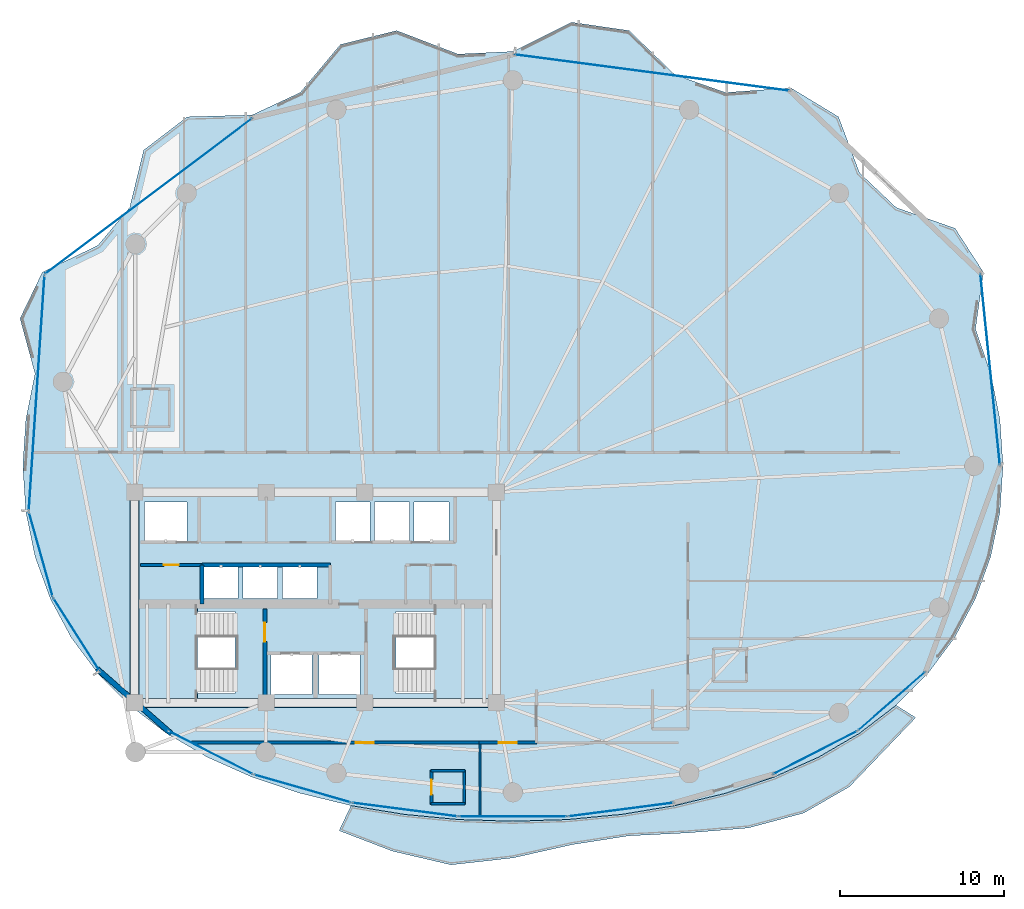
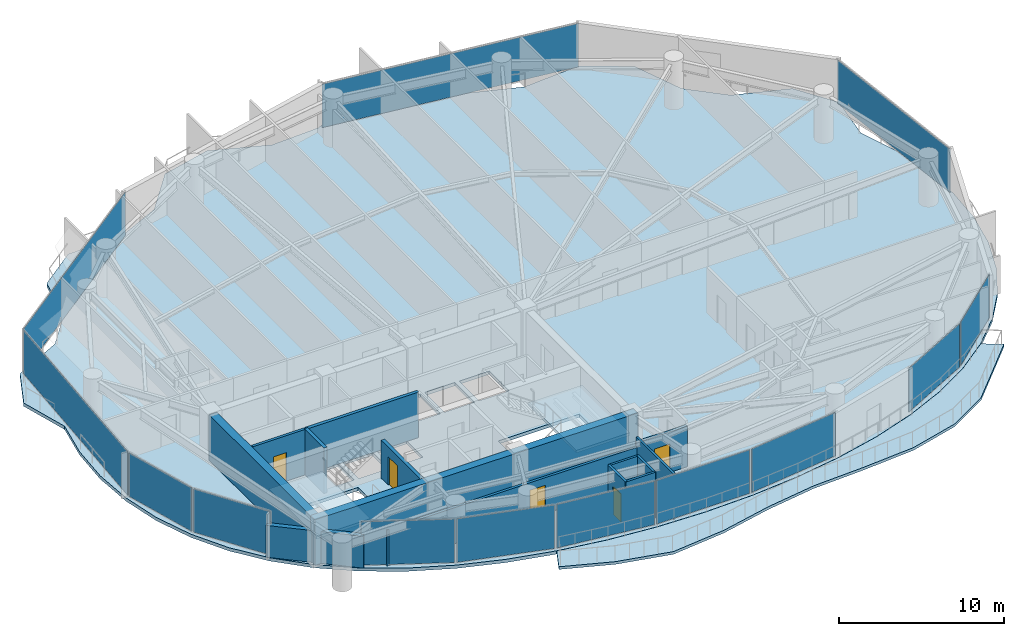
# One storey, part 24 of 31: 14 walls, 13 plates, 5 doors, 4 slabs, 5 openings, 15 elements without a shape of their own.
"""IFC4 building model written with IfcOpenShell, lengths in metres."""

from ifc_helpers import new_model, si_unit, direction, frame, frame_2d, origin, origin_2d, place, context, subcontext, project, spatial, polyline, rectangle, outline, extrude, material, layer, layer_set, type_object, element, fill, aggregate, save


model = new_model("IFC4")

# Units and contexts
model_context = context("Model", 3, precision=1e-05, world=origin(), true_north=direction((0.0, 1.0)))
body_context = subcontext(model_context, "Body", "Model", "MODEL_VIEW")
ifc_project = project(units=[si_unit("LENGTHUNIT", "METRE"), si_unit("AREAUNIT", "SQUARE_METRE"), si_unit("VOLUMEUNIT", "CUBIC_METRE"), si_unit("PLANEANGLEUNIT", "RADIAN"), si_unit("MASSUNIT", "GRAM", prefix="KILO")], contexts=[model_context])

# Site, building, storey
site_placement = place(None, origin())
site = spatial("IfcSite", under=ifc_project, at=site_placement, CompositionType="ELEMENT")
building_placement = place(site_placement, origin())
building = spatial("IfcBuilding", under=site, at=building_placement, Name="Kazevale Care Tower and Concert Hall", CompositionType="ELEMENT")
storey_placement = place(building_placement, frame((0.0, 0.0, 117.0)))
storey = spatial("IfcBuildingStorey", under=building, at=storey_placement, Name="L30", CompositionType="ELEMENT", Elevation=117.0)

# Curtain wall, plate
ifc_material_1 = material(Name="Aluminium 6063-T6 and Low-E Glass", Category="aluminium")
ifc_layer_1 = layer(ifc_material_1, 0.179931640625)
ifc_layer_set_1 = layer_set([ifc_layer_1], Name="Aluminium 6063-T6 and Low-E Glass")
curtain_wall_type_1 = type_object("IfcCurtainWallType", Name="Convex Recessed Sunroom Curtain Wall CW-3", PredefinedType="NOTDEFINED", material=ifc_layer_set_1)
curtain_wall_1_placement = place(storey_placement, origin())
curtain_wall_1 = element("IfcCurtainWall", 1, at=curtain_wall_1_placement, inside=storey, type_object=curtain_wall_type_1, Name="cw:L30:f14", PredefinedType="NOTDEFINED")
ifc_material_2 = material(Name="Low-E Laminated Glass", Category="glass")
ifc_layer_2 = layer(ifc_material_2, 0.028076171875)
ifc_layer_set_2 = layer_set([ifc_layer_2], Name="Low-E Laminated Glass")
plate_type_1 = type_object("IfcPlateType", Name="CW-3 Low-E Glazing Panel 28mm", PredefinedType="CURTAIN_PANEL", material=ifc_layer_set_2)
plate_1_placement = place(storey_placement, frame((22.8583984375, 54.402099609375, 0.074951171875), z_axis=(0.0, 0.0, 1.0), x_axis=(0.799400950952, 0.600797902474, 0.0)))
plate_1 = element("IfcPlate", 2, at=plate_1_placement, type_object=plate_type_1, Name="CW-3 panel 1.1", PredefinedType="CURTAIN_PANEL", context=body_context, shape_type="SweptSolid", body=[
    extrude(rectangle(XDim=15.685546875, YDim=0.028076171875, at=origin_2d()), origin(), (0.0, 0.0, 1.0), 3.2099609375),
])
aggregate(curtain_wall_1, [plate_1])

curtain_wall_2_placement = place(storey_placement, origin())
curtain_wall_2 = element("IfcCurtainWall", 3, at=curtain_wall_2_placement, inside=storey, type_object=curtain_wall_type_1, Name="cw:L30:f16", PredefinedType="NOTDEFINED")
plate_2_placement = place(storey_placement, frame((53.447509765625, 61.91357421875, 0.074951171875), z_axis=(0.0, 0.0, 1.0), x_axis=(0.991405823257, -0.130822374277, 0.0)))
plate_2 = element("IfcPlate", 4, at=plate_2_placement, type_object=plate_type_1, Name="CW-3 panel 1.1", PredefinedType="CURTAIN_PANEL", context=body_context, shape_type="SweptSolid", body=[
    extrude(rectangle(XDim=16.796630859375, YDim=0.028076171875, at=origin_2d()), origin(), (0.0, 0.0, 1.0), 3.2099609375),
])
aggregate(curtain_wall_2, [plate_2])

ifc_layer_3 = layer(ifc_material_1, 0.179931640625)
ifc_layer_set_3 = layer_set([ifc_layer_3], Name="Aluminium 6063-T6 and Low-E Glass")
curtain_wall_type_2 = type_object("IfcCurtainWallType", Name="Waist & Upper Residential Curtain Wall CW-4", PredefinedType="NOTDEFINED", material=ifc_layer_set_3)
curtain_wall_3_placement = place(storey_placement, origin())
curtain_wall_3 = element("IfcCurtainWall", 5, at=curtain_wall_3_placement, inside=storey, type_object=curtain_wall_type_2, Name="cw:L30:f11", PredefinedType="NOTDEFINED")
ifc_layer_4 = layer(ifc_material_2, 0.030029296875)
ifc_layer_set_4 = layer_set([ifc_layer_4], Name="Low-E Laminated Glass")
plate_type_2 = type_object("IfcPlateType", Name="CW-4 Low-E Glazing Panel 30mm", PredefinedType="CURTAIN_PANEL", material=ifc_layer_set_4)
plate_3_placement = place(storey_placement, frame((18.470458984375, 27.75244140625, 0.080078125), z_axis=(0.0, 0.0, 1.0), x_axis=(-0.537239193981, 0.843429930967, 0.0)))
plate_3 = element("IfcPlate", 6, at=plate_3_placement, type_object=plate_type_2, Name="CW-4 panel 1.1", PredefinedType="CURTAIN_PANEL", context=body_context, shape_type="SweptSolid", body=[
    extrude(rectangle(XDim=5.176513671875, YDim=0.030029296875, at=origin_2d()), origin(), (0.0, 0.0, 1.0), 3.199951171875),
])
aggregate(curtain_wall_3, [plate_3])

curtain_wall_4_placement = place(storey_placement, origin())
curtain_wall_4 = element("IfcCurtainWall", 7, at=curtain_wall_4_placement, inside=storey, type_object=curtain_wall_type_2, Name="cw:L30:f12", PredefinedType="NOTDEFINED")
plate_4_placement = place(storey_placement, frame((16.301513671875, 32.612548828125, 0.080078125), z_axis=(0.0, 0.0, 1.0), x_axis=(-0.271284948278, 0.962499078876, 0.0)))
plate_4 = element("IfcPlate", 8, at=plate_4_placement, type_object=plate_type_2, Name="CW-4 panel 1.1", PredefinedType="CURTAIN_PANEL", context=body_context, shape_type="SweptSolid", body=[
    extrude(rectangle(XDim=5.262451171875, YDim=0.030029296875, at=origin_2d()), origin(), (0.0, 0.0, 1.0), 3.199951171875),
])
aggregate(curtain_wall_4, [plate_4])

curtain_wall_5_placement = place(storey_placement, origin())
curtain_wall_5 = element("IfcCurtainWall", 9, at=curtain_wall_5_placement, inside=storey, type_object=curtain_wall_type_2, Name="cw:L30:f13", PredefinedType="NOTDEFINED")
plate_5_placement = place(storey_placement, frame((16.047607421875, 42.43359375, 0.080078125), z_axis=(0.0, 0.0, 1.0), x_axis=(0.06662002475, 0.997778418439, 0.0)))
plate_5 = element("IfcPlate", 10, at=plate_5_placement, type_object=plate_type_2, Name="CW-4 panel 1.1", PredefinedType="CURTAIN_PANEL", context=body_context, shape_type="SweptSolid", body=[
    extrude(rectangle(XDim=14.295166015625, YDim=0.030029296875, at=origin_2d()), origin(), (0.0, 0.0, 1.0), 3.199951171875),
])
aggregate(curtain_wall_5, [plate_5])

curtain_wall_6_placement = place(storey_placement, origin())
curtain_wall_6 = element("IfcCurtainWall", 11, at=curtain_wall_6_placement, inside=storey, type_object=curtain_wall_type_2, Name="cw:L30:f18", PredefinedType="NOTDEFINED")
plate_6_placement = place(storey_placement, frame((74.01904296875, 43.868896484375, 0.080078125), z_axis=(0.0, 0.0, 1.0), x_axis=(0.101869730126, -0.994797747326, 0.0)))
plate_6 = element("IfcPlate", 12, at=plate_6_placement, type_object=plate_type_2, Name="CW-4 panel 1.1", PredefinedType="CURTAIN_PANEL", context=body_context, shape_type="SweptSolid", body=[
    extrude(rectangle(XDim=11.639404296875, YDim=0.030029296875, at=origin_2d()), origin(), (0.0, 0.0, 1.0), 3.199951171875),
])
aggregate(curtain_wall_6, [plate_6])

ifc_layer_5 = layer(ifc_material_1, 0.179931640625)
ifc_layer_set_5 = layer_set([ifc_layer_5], Name="Aluminium 6063-T6 and Low-E Glass")
curtain_wall_type_3 = type_object("IfcCurtainWallType", Name="Sheltered Concave Balcony Curtain Wall CW-5", PredefinedType="NOTDEFINED", material=ifc_layer_set_5)
curtain_wall_7_placement = place(storey_placement, origin())
curtain_wall_7 = element("IfcCurtainWall", 13, at=curtain_wall_7_placement, inside=storey, type_object=curtain_wall_type_3, Name="cw:L30:f02", PredefinedType="NOTDEFINED")
ifc_layer_6 = layer(ifc_material_2, 0.02587890625)
ifc_layer_set_6 = layer_set([ifc_layer_6], Name="Low-E Laminated Glass")
plate_type_3 = type_object("IfcPlateType", Name="CW-5 Low-E Glazing Panel 26mm", PredefinedType="CURTAIN_PANEL", material=ifc_layer_set_6)
plate_7_placement = place(storey_placement, frame((68.033447265625, 23.699951171875, 0.074951171875), z_axis=(0.0, 0.0, 1.0), x_axis=(-0.753062779437, -0.657948668382, 0.0)))
plate_7 = element("IfcPlate", 14, at=plate_7_placement, type_object=plate_type_3, Name="CW-5 panel 1.1", PredefinedType="CURTAIN_PANEL", context=body_context, shape_type="SweptSolid", body=[
    extrude(rectangle(XDim=5.32763671875, YDim=0.02587890625, at=origin_2d()), origin(), (0.0, 0.0, 1.0), 3.2099609375),
])
aggregate(curtain_wall_7, [plate_7])

curtain_wall_8_placement = place(storey_placement, origin())
curtain_wall_8 = element("IfcCurtainWall", 15, at=curtain_wall_8_placement, inside=storey, type_object=curtain_wall_type_3, Name="cw:L30:f03", PredefinedType="NOTDEFINED")
plate_8_placement = place(storey_placement, frame((63.3798828125, 20.571533203125, 0.074951171875), z_axis=(0.0, 0.0, 1.0), x_axis=(-0.890126646051, -0.455713236575, 0.0)))
plate_8 = element("IfcPlate", 16, at=plate_8_placement, type_object=plate_type_3, Name="CW-5 panel 1.1", PredefinedType="CURTAIN_PANEL", context=body_context, shape_type="SweptSolid", body=[
    extrude(rectangle(XDim=5.671630859375, YDim=0.02587890625, at=origin_2d()), origin(), (0.0, 0.0, 1.0), 3.2099609375),
])
aggregate(curtain_wall_8, [plate_8])

curtain_wall_9_placement = place(storey_placement, origin())
curtain_wall_9 = element("IfcCurtainWall", 17, at=curtain_wall_9_placement, inside=storey, type_object=curtain_wall_type_3, Name="cw:L30:f05", PredefinedType="NOTDEFINED")
plate_9_placement = place(storey_placement, frame((51.5654296875, 17.1044921875, 0.074951171875), z_axis=(0.0, 0.0, 1.0), x_axis=(-0.991685519364, -0.12868500567, 0.0)))
plate_9 = element("IfcPlate", 18, at=plate_9_placement, type_object=plate_type_3, Name="CW-5 panel 1.1", PredefinedType="CURTAIN_PANEL", context=body_context, shape_type="SweptSolid", body=[
    extrude(rectangle(XDim=6.38525390625, YDim=0.02587890625, at=origin_2d()), origin(), (0.0, 0.0, 1.0), 3.2099609375),
])
aggregate(curtain_wall_9, [plate_9])

curtain_wall_10_placement = place(storey_placement, origin())
curtain_wall_10 = element("IfcCurtainWall", 19, at=curtain_wall_10_placement, inside=storey, type_object=curtain_wall_type_3, Name="cw:L30:f06", PredefinedType="NOTDEFINED")
plate_10_placement = place(storey_placement, frame((45.0, 16.68408203125, 0.074951171875), z_axis=(0.0, 0.0, 1.0), x_axis=(-1.0, 0.0, 0.0)))
plate_10 = element("IfcPlate", 20, at=plate_10_placement, type_object=plate_type_3, Name="CW-5 panel 1.1", PredefinedType="CURTAIN_PANEL", context=body_context, shape_type="SweptSolid", body=[
    extrude(rectangle(XDim=6.5, YDim=0.02587890625, at=origin_2d()), origin(), (0.0, 0.0, 1.0), 3.2099609375),
])
aggregate(curtain_wall_10, [plate_10])

curtain_wall_11_placement = place(storey_placement, origin())
curtain_wall_11 = element("IfcCurtainWall", 21, at=curtain_wall_11_placement, inside=storey, type_object=curtain_wall_type_3, Name="cw:L30:f07", PredefinedType="NOTDEFINED")
plate_11_placement = place(storey_placement, frame((38.4345703125, 17.1044921875, 0.074951171875), z_axis=(0.0, 0.0, 1.0), x_axis=(-0.991685519364, 0.12868500567, 0.0)))
plate_11 = element("IfcPlate", 22, at=plate_11_placement, type_object=plate_type_3, Name="CW-5 panel 1.1", PredefinedType="CURTAIN_PANEL", context=body_context, shape_type="SweptSolid", body=[
    extrude(rectangle(XDim=6.38525390625, YDim=0.02587890625, at=origin_2d()), origin(), (0.0, 0.0, 1.0), 3.2099609375),
])
aggregate(curtain_wall_11, [plate_11])

curtain_wall_12_placement = place(storey_placement, origin())
curtain_wall_12 = element("IfcCurtainWall", 23, at=curtain_wall_12_placement, inside=storey, type_object=curtain_wall_type_3, Name="cw:L30:f08", PredefinedType="NOTDEFINED")
plate_12_placement = place(storey_placement, frame((32.202392578125, 18.385009765625, 0.074951171875), z_axis=(0.0, 0.0, 1.0), x_axis=(-0.961074102639, 0.276290733172, 0.0)))
plate_12 = element("IfcPlate", 24, at=plate_12_placement, type_object=plate_type_3, Name="CW-5 panel 1.1", PredefinedType="CURTAIN_PANEL", context=body_context, shape_type="SweptSolid", body=[
    extrude(rectangle(XDim=6.075439453125, YDim=0.02587890625, at=origin_2d()), origin(), (0.0, 0.0, 1.0), 3.2099609375),
])
aggregate(curtain_wall_12, [plate_12])

curtain_wall_13_placement = place(storey_placement, origin())
curtain_wall_13 = element("IfcCurtainWall", 25, at=curtain_wall_13_placement, inside=storey, type_object=curtain_wall_type_3, Name="cw:L30:f09", PredefinedType="NOTDEFINED")
plate_13_placement = place(storey_placement, frame((26.6201171875, 20.571533203125, 0.074951171875), z_axis=(0.0, 0.0, 1.0), x_axis=(-0.890126646051, 0.455713236575, 0.0)))
plate_13 = element("IfcPlate", 26, at=plate_13_placement, type_object=plate_type_3, Name="CW-5 panel 1.1", PredefinedType="CURTAIN_PANEL", context=body_context, shape_type="SweptSolid", body=[
    extrude(rectangle(XDim=5.671630859375, YDim=0.02587890625, at=origin_2d()), origin(), (0.0, 0.0, 1.0), 3.2099609375),
])
aggregate(curtain_wall_13, [plate_13])

# Slab
ifc_material_3 = material(Name="Concrete C40", Category="concrete")
ifc_layer_7 = layer(ifc_material_3, 0.199951171875)
ifc_layer_set_7 = layer_set([ifc_layer_7], Name="Concrete C40")
slab_type_1 = type_object("IfcSlabType", Name="Sinusoidal Concave Balcony Slab 200", PredefinedType="USERDEFINED", material=ifc_layer_set_7)
slab_1_placement = place(storey_placement, frame((0.0, 0.0, -0.199951171875)))
element("IfcSlab", 27, at=slab_1_placement, inside=storey, type_object=slab_type_1, Name="slab:L30:bal", ObjectType="BALCONY", PredefinedType="USERDEFINED", context=body_context, shape_type="SweptSolid", body=[
    extrude(outline(polyline([(69.493896484375, 22.69970703125), (67.515380859375, 20.634521484375), (65.46337890625, 18.4970703125), (62.68408203125, 16.893798828125), (59.302001953125, 15.986083984375), (55.6328125, 15.689453125), (52.040771484375, 15.51025390625), (48.574462890625, 14.97119140625), (45.0, 14.16650390625), (41.235107421875, 13.74462890625), (37.668701171875, 14.58251953125), (34.431640625, 15.824951171875), (35.155517578125, 17.343505859375), (35.15673828125, 17.34326171875), (38.368408203125, 16.81396484375), (41.6630859375, 16.49951171875), (45.0, 16.39501953125), (48.3369140625, 16.49951171875), (51.631591796875, 16.81396484375), (54.84326171875, 17.34326171875), (57.93115234375, 18.09375), (60.8564453125, 19.07275390625), (63.582275390625, 20.28759765625), (66.07470703125, 21.74365234375), (68.302001953125, 23.442626953125), (68.302978515625, 23.44384765625), (69.493896484375, 22.69970703125)])), origin(), (0.0, 0.0, 1.0), 0.199951171875),
])

# Stair, slab
stair_type = type_object("IfcStairType", Name="Exit Stair Assembly ST1-Z2", PredefinedType="HALF_TURN_STAIR", material=ifc_material_3)
stair_1_placement = place(storey_placement, origin())
stair_1 = element("IfcStair", 28, at=stair_1_placement, inside=storey, type_object=stair_type, Name="stair:L30:ST1", PredefinedType="HALF_TURN_STAIR")
ifc_layer_8 = layer(ifc_material_3, 0.199951171875)
ifc_layer_set_8 = layer_set([ifc_layer_8], Name="Concrete C40")
slab_type_2 = type_object("IfcSlabType", Name="Stair Half-Landing Slab ST1-Z2", PredefinedType="LANDING", material=ifc_layer_set_8)
slab_2_placement = place(storey_placement, frame((0.0, 0.0, 1.60009765625)))
slab_2 = element("IfcSlab", 29, at=slab_2_placement, type_object=slab_type_2, Name="ST1-Z2 landing 1", PredefinedType="LANDING", context=body_context, shape_type="SweptSolid", body=[
    extrude(outline(polyline([(22.050048828125, 23.699951171875), (25.81005859375, 23.699951171875), (25.81005859375, 29.5), (22.050048828125, 29.5), (22.050048828125, 23.699951171875)])), origin(), (0.0, 0.0, 1.0), 0.199951171875),
])
aggregate(stair_1, [slab_2])

stair_2_placement = place(storey_placement, origin())
stair_2 = element("IfcStair", 30, at=stair_2_placement, inside=storey, type_object=stair_type, Name="stair:L30:ST2", PredefinedType="HALF_TURN_STAIR")
slab_3_placement = place(storey_placement, frame((0.0, 0.0, 1.60009765625)))
slab_3 = element("IfcSlab", 31, at=slab_3_placement, type_object=slab_type_2, Name="ST1-Z2 landing 1", PredefinedType="LANDING", context=body_context, shape_type="SweptSolid", body=[
    extrude(outline(polyline([(40.18994140625, 23.699951171875), (43.949951171875, 23.699951171875), (43.949951171875, 29.5), (40.18994140625, 29.5), (40.18994140625, 23.699951171875)])), origin(), (0.0, 0.0, 1.0), 0.199951171875),
])
aggregate(stair_2, [slab_3])

# Slab
ifc_layer_9 = layer(ifc_material_3, 0.239990234375)
ifc_layer_set_9 = layer_set([ifc_layer_9], Name="Concrete C40")
slab_type_3 = type_object("IfcSlabType", Name="Tower Typical Floor Slab 240", PredefinedType="FLOOR", material=ifc_layer_set_9)
slab_4_placement = place(storey_placement, frame((0.0, 0.0, -0.239990234375)))
element("IfcSlab", 32, at=slab_4_placement, inside=storey, type_object=slab_type_3, Name="slab:L30:tw:1", PredefinedType="FLOOR", context=body_context, shape_type="SweptSolid", body=[
    extrude(outline(polyline([(74.800048828125, 38.0), (74.612548828125, 40.821533203125), (74.052978515625, 43.607421875), (73.127685546875, 46.322998046875), (73.605712890625, 49.77978515625), (71.883544921875, 52.444580078125), (68.298583984375, 53.7119140625), (66.07177734375, 55.819091796875), (64.7958984375, 59.226806640625), (61.89208984375, 60.988525390625), (57.9296875, 60.704345703125), (54.84228515625, 61.785888671875), (52.06494140625, 64.46923828125), (48.554931640625, 64.979248046875), (45.0, 63.199951171875), (41.66357421875, 63.04150390625), (37.93505859375, 64.46923828125), (34.513671875, 63.62646484375), (32.0703125, 60.704345703125), (29.1455078125, 59.33740234375), (25.2041015625, 59.226806640625), (22.54931640625, 57.197998046875), (21.701416015625, 53.7119140625), (19.767578125, 51.4072265625), (16.394287109375, 49.77978515625), (15.03173828125, 46.967041015625), (15.947021484375, 43.607421875), (15.387451171875, 40.821533203125), (15.199951171875, 38.0), (15.387451171875, 35.197265625), (15.947021484375, 32.490234375), (16.872314453125, 29.92919921875), (18.151123046875, 27.551513671875), (19.767578125, 25.384521484375), (21.701416015625, 23.446533203125), (23.92822265625, 21.747802734375), (26.419921875, 20.2919921875), (29.1455078125, 19.077392578125), (32.0703125, 18.098388671875), (35.15771484375, 17.34814453125), (38.368896484375, 16.819091796875), (41.66357421875, 16.50439453125), (45.0, 16.39990234375), (48.33642578125, 16.50439453125), (51.631103515625, 16.819091796875), (54.84228515625, 17.34814453125), (57.9296875, 18.098388671875), (60.8544921875, 19.077392578125), (63.580078125, 20.2919921875), (66.07177734375, 21.747802734375), (68.298583984375, 23.446533203125), (70.232421875, 25.384521484375), (71.848876953125, 27.551513671875), (73.127685546875, 29.92919921875), (74.052978515625, 32.490234375), (74.612548828125, 35.197265625), (74.800048828125, 38.0)]), holes=[polyline([(22.449951171875, 24.14990234375), (28.110107421875, 24.14990234375), (28.110107421875, 29.14990234375), (22.449951171875, 29.14990234375), (22.449951171875, 24.14990234375)]), polyline([(37.889892578125, 24.14990234375), (43.550048828125, 24.14990234375), (43.550048828125, 29.14990234375), (37.889892578125, 29.14990234375), (37.889892578125, 24.14990234375)]), polyline([(30.300048828125, 24.10009765625), (32.800048828125, 24.10009765625), (32.800048828125, 26.60009765625), (30.300048828125, 26.60009765625), (30.300048828125, 24.10009765625)]), polyline([(33.199951171875, 24.10009765625), (35.699951171875, 24.10009765625), (35.699951171875, 26.60009765625), (33.199951171875, 26.60009765625), (33.199951171875, 24.10009765625)]), polyline([(22.60009765625, 33.39990234375), (25.199951171875, 33.39990234375), (25.199951171875, 35.800048828125), (22.60009765625, 35.800048828125), (22.60009765625, 33.39990234375)]), polyline([(34.199951171875, 33.39990234375), (36.300048828125, 33.39990234375), (36.300048828125, 35.800048828125), (34.199951171875, 35.800048828125), (34.199951171875, 33.39990234375)]), polyline([(36.60009765625, 33.39990234375), (38.699951171875, 33.39990234375), (38.699951171875, 35.800048828125), (36.60009765625, 35.800048828125), (36.60009765625, 33.39990234375)]), polyline([(39.0, 33.39990234375), (41.10009765625, 33.39990234375), (41.10009765625, 35.800048828125), (39.0, 35.800048828125), (39.0, 33.39990234375)]), polyline([(26.199951171875, 29.949951171875), (28.300048828125, 29.949951171875), (28.300048828125, 31.949951171875), (26.199951171875, 31.949951171875), (26.199951171875, 29.949951171875)]), polyline([(28.60009765625, 29.949951171875), (30.699951171875, 29.949951171875), (30.699951171875, 31.949951171875), (28.60009765625, 31.949951171875), (28.60009765625, 29.949951171875)]), polyline([(31.0, 29.949951171875), (33.10009765625, 29.949951171875), (33.10009765625, 31.949951171875), (31.0, 31.949951171875), (31.0, 29.949951171875)])]), origin(), (0.0, 0.0, 1.0), 0.239990234375),
])

# Walls
ifc_material_4 = material(Name="Acoustic Gypsum on Steel Stud", Category="steel")
ifc_layer_10 = layer(ifc_material_4, 0.139892578125)
ifc_layer_set_10 = layer_set([ifc_layer_10], Name="Acoustic Gypsum on Steel Stud")
wall_type_1 = type_object("IfcWallType", Name="Acoustic Care & Suite Partition 140", PredefinedType="PARTITIONING", material=ifc_layer_set_10)
wall_1_placement = place(storey_placement, frame((43.0, 21.205078125, 0.0), z_axis=(0.0, 0.0, 1.0), x_axis=(0.0, -1.0, 0.0)))
element("IfcWall", 33, at=wall_1_placement, inside=storey, type_object=wall_type_1, Name="wall:L30:auto_037", PredefinedType="PARTITIONING", context=body_context, shape_type="SweptSolid", body=[
    extrude(rectangle(XDim=4.510986328125, YDim=0.139892578125, at=frame_2d((2.25537109375, 0.0))), origin(), (0.0, 0.0, 1.0), 3.360107421875),
])
ifc_material_5 = material(Name="Concrete C60", Category="concrete")
ifc_layer_11 = layer(ifc_material_5, 0.550048828125)
ifc_layer_set_11 = layer_set([ifc_layer_11], Name="Concrete C60")
wall_type_2 = type_object("IfcWallType", Name="Core Shear Wall 550 C60", PredefinedType="SHEAR", material=ifc_layer_set_11)
wall_2_placement = place(storey_placement, frame((21.72509765625, 23.60009765625, 0.0), z_axis=(0.0, 0.0, 1.0), x_axis=(1.0, 0.0, 0.0)))
element("IfcWall", 34, at=wall_2_placement, inside=storey, type_object=wall_type_2, Name="wall:L30:core:S", PredefinedType="SHEAR", context=body_context, shape_type="SweptSolid", body=[
    extrude(rectangle(XDim=22.5498046875, YDim=0.550048828125, at=frame_2d((11.27490234375, 0.0))), origin(), (0.0, 0.0, 1.0), 3.360107421875),
])
wall_3_placement = place(storey_placement, frame((22.0, 23.875, 0.0), z_axis=(0.0, 0.0, 1.0), x_axis=(0.0, 1.0, 0.0)))
element("IfcWall", 35, at=wall_3_placement, inside=storey, type_object=wall_type_2, Name="wall:L30:core:W", PredefinedType="SHEAR", context=body_context, shape_type="SweptSolid", body=[
    extrude(rectangle(XDim=12.25, YDim=0.550048828125, at=frame_2d((6.125, 0.0))), origin(), (0.0, 0.0, 1.0), 3.360107421875),
])
ifc_layer_12 = layer(ifc_material_3, 0.219970703125)
ifc_layer_set_12 = layer_set([ifc_layer_12], Name="Concrete C40")
wall_type_3 = type_object("IfcWallType", Name="Elevator Hoistway Shaft Wall 220", PredefinedType="SOLIDWALL", material=ifc_layer_set_12)
wall_4_placement = place(storey_placement, frame((26.10009765625, 29.6201171875, 0.0), z_axis=(0.0, 0.0, 1.0), x_axis=(0.0, 1.0, 0.0)))
element("IfcWall", 36, at=wall_4_placement, inside=storey, type_object=wall_type_3, Name="wall:L30:c_ph_w", PredefinedType="SOLIDWALL", context=body_context, shape_type="SweptSolid", body=[
    extrude(rectangle(XDim=2.35986328125, YDim=0.219970703125, at=frame_2d((1.179931640625, 0.0))), origin(), (0.0, 0.0, 1.0), 3.360107421875),
])
wall_5_placement = place(storey_placement, frame((26.10009765625, 31.97998046875, 0.0), z_axis=(0.0, 0.0, 1.0), x_axis=(1.0, 0.0, 0.0)))
element("IfcWall", 37, at=wall_5_placement, inside=storey, type_object=wall_type_3, Name="wall:L30:c_ph_n", PredefinedType="SOLIDWALL", context=body_context, shape_type="SweptSolid", body=[
    extrude(rectangle(XDim=7.7998046875, YDim=0.219970703125, at=frame_2d((3.89990234375, 0.0))), origin(), (0.0, 0.0, 1.0), 3.360107421875),
])

# Wall, opening, door
ifc_material_6 = material(Name="Concrete C40 and Acoustic Gypsum", Category="concrete")
ifc_layer_13 = layer(ifc_material_6, 0.179931640625)
ifc_layer_set_13 = layer_set([ifc_layer_13], Name="Concrete C40 and Acoustic Gypsum")
wall_type_4 = type_object("IfcWallType", Name="Fire-Rated Corridor & Party Wall 180", PredefinedType="PARTITIONING", material=ifc_layer_set_13)
wall_6_placement = place(storey_placement, frame((22.35009765625, 31.97998046875, 0.0), z_axis=(0.0, 0.0, 1.0), x_axis=(1.0, 0.0, 0.0)))
wall_6 = element("IfcWall", 38, at=wall_6_placement, inside=storey, type_object=wall_type_4, Name="wall:L30:ka_wn1", PredefinedType="PARTITIONING", context=body_context, shape_type="SweptSolid", body=[
    extrude(rectangle(XDim=3.75, YDim=0.179931640625, at=frame_2d((1.875, 0.0))), origin(), (0.0, 0.0, 1.0), 3.360107421875),
])
opening_1_placement = place(wall_6_placement, frame((1.425048828125, 0.0, 0.0)))
opening_1 = element("IfcOpeningElement", 39, at=opening_1_placement, cuts=wall_6, Name="Opening ID-900", PredefinedType="OPENING", context=body_context, shape_type="SweptSolid", body=[
    extrude(rectangle(XDim=0.919921875, YDim=2.10009765625, at=frame_2d((0.4599609375, 1.050048828125))), frame((0.0, 0.099853515625, 0.0), z_axis=(0.0, -1.0, 0.0), x_axis=(1.0, 0.0, 0.0)), (0.0, 0.0, 1.0), 0.199951171875),
])
ifc_material_7 = material(Name="Oak Timber Fire Leaf", Category="wood")
door_type_1 = type_object("IfcDoorType", Name="Bathroom & Service Door 920x2100", OperationType="NOTDEFINED", PredefinedType="DOOR", material=ifc_material_7)
door_1_placement = place(opening_1_placement, origin())
door_1 = element("IfcDoor", 40, at=door_1_placement, inside=storey, type_object=door_type_1, Name="door:L30:d_kaw", OperationType="SINGLE_SWING_LEFT", OverallHeight=2.10009765625, OverallWidth=0.919921875, PredefinedType="DOOR", context=body_context, shape_type="SweptSolid", body=[
    extrude(rectangle(XDim=0.919921875, YDim=2.10009765625, at=frame_2d((0.4599609375, 1.050048828125))), frame((0.0, 0.02490234375, 0.0), z_axis=(0.0, -1.0, 0.0), x_axis=(1.0, 0.0, 0.0)), (0.0, 0.0, 1.0), 0.050048828125),
])
fill(opening_1, door_1)

wall_7_placement = place(storey_placement, frame((43.06494140625, 21.175048828125, 0.0), z_axis=(0.0, 0.0, 1.0), x_axis=(-1.0, 0.0, 0.0)))
wall_7 = element("IfcWall", 41, at=wall_7_placement, inside=storey, type_object=wall_type_4, Name="wall:L30:auto_020", PredefinedType="PARTITIONING", context=body_context, shape_type="SweptSolid", body=[
    extrude(rectangle(XDim=17.61376953125, YDim=0.179931640625, at=frame_2d((8.806884765625, 0.0))), origin(), (0.0, 0.0, 1.0), 2.656982421875),
])
opening_2_placement = place(wall_7_placement, frame((6.514892578125, 0.0, 0.0)))
opening_2 = element("IfcOpeningElement", 42, at=opening_2_placement, cuts=wall_7, Name="Opening ID-1100", PredefinedType="OPENING", context=body_context, shape_type="SweptSolid", body=[
    extrude(rectangle(XDim=1.10009765625, YDim=2.10009765625, at=frame_2d((0.550048828125, 1.050048828125))), frame((0.0, 0.099853515625, 0.0), z_axis=(0.0, -1.0, 0.0), x_axis=(1.0, 0.0, 0.0)), (0.0, 0.0, 1.0), 0.199951171875),
])
door_type_2 = type_object("IfcDoorType", Name="Care Bedroom Accessible Door 1100x2100", OperationType="NOTDEFINED", PredefinedType="DOOR", material=ifc_material_7)
door_2_placement = place(opening_2_placement, origin())
door_2 = element("IfcDoor", 43, at=door_2_placement, inside=storey, type_object=door_type_2, Name="door:L30:ad_020", OperationType="SINGLE_SWING_LEFT", OverallHeight=2.10009765625, OverallWidth=1.10009765625, PredefinedType="DOOR", context=body_context, shape_type="SweptSolid", body=[
    extrude(rectangle(XDim=1.10009765625, YDim=2.10009765625, at=frame_2d((0.550048828125, 1.050048828125))), frame((0.0, 0.02490234375, 0.0), z_axis=(0.0, -1.0, 0.0), x_axis=(1.0, 0.0, 0.0)), (0.0, 0.0, 1.0), 0.050048828125),
])
fill(opening_2, door_2)

wall_8_placement = place(storey_placement, frame((46.455078125, 21.175048828125, 0.0), z_axis=(0.0, 0.0, 1.0), x_axis=(-1.0, 0.0, 0.0)))
wall_8 = element("IfcWall", 44, at=wall_8_placement, inside=storey, type_object=wall_type_4, Name="wall:L30:auto_021", PredefinedType="PARTITIONING", context=body_context, shape_type="SweptSolid", body=[
    extrude(rectangle(XDim=3.52001953125, YDim=0.179931640625, at=frame_2d((1.760009765625, 0.0))), origin(), (0.0, 0.0, 1.0), 2.99609375),
])
opening_3_placement = place(wall_8_placement, frame((1.2099609375, 0.0, 0.0)))
opening_3 = element("IfcOpeningElement", 45, at=opening_3_placement, cuts=wall_8, Name="Opening ID-1100", PredefinedType="OPENING", context=body_context, shape_type="SweptSolid", body=[
    extrude(rectangle(XDim=1.10009765625, YDim=2.10009765625, at=frame_2d((0.550048828125, 1.050048828125))), frame((0.0, 0.099853515625, 0.0), z_axis=(0.0, -1.0, 0.0), x_axis=(1.0, 0.0, 0.0)), (0.0, 0.0, 1.0), 0.199951171875),
])
door_3_placement = place(opening_3_placement, origin())
door_3 = element("IfcDoor", 46, at=door_3_placement, inside=storey, type_object=door_type_2, Name="door:L30:ad_021", OperationType="SINGLE_SWING_LEFT", OverallHeight=2.10009765625, OverallWidth=1.10009765625, PredefinedType="DOOR", context=body_context, shape_type="SweptSolid", body=[
    extrude(rectangle(XDim=1.10009765625, YDim=2.10009765625, at=frame_2d((0.550048828125, 1.050048828125))), frame((0.0, 0.02490234375, 0.0), z_axis=(0.0, -1.0, 0.0), x_axis=(1.0, 0.0, 0.0)), (0.0, 0.0, 1.0), 0.050048828125),
])
fill(opening_3, door_3)

# Walls
ifc_layer_14 = layer(ifc_material_4, 0.159912109375)
ifc_layer_set_14 = layer_set([ifc_layer_14], Name="Acoustic Gypsum on Steel Stud")
wall_type_5 = type_object("IfcWallType", Name="Moisture-Resistant Bathroom Plumbing Wall 160", PredefinedType="PLUMBINGWALL", material=ifc_layer_set_14)
for number, where, z_axis, x_axis, name in (
    (47, (40.010009765625, 17.4599609375, 0.0), (0.0, 0.0, 1.0), (1.0, 0.0, 0.0), "wall:L30:sb2_ens_ws"),
    (48, (40.010009765625, 19.4599609375, 0.0), (0.0, 0.0, 1.0), (1.0, 0.0, 0.0), "wall:L30:sb2_ens_wn"),
):
    element("IfcWall", number, at=place(storey_placement, frame(where, z_axis=z_axis, x_axis=x_axis)), inside=storey, type_object=wall_type_5, Name=name, PredefinedType="PLUMBINGWALL", context=body_context, shape_type="SweptSolid", body=[
        extrude(rectangle(XDim=2.080078125, YDim=0.159912109375, at=frame_2d((1.0400390625, 0.0))), origin(), (0.0, 0.0, 1.0), 3.360107421875),
    ])

# Wall, opening, door
wall_9_placement = place(storey_placement, frame((40.050048828125, 17.419921875, 0.0), z_axis=(0.0, 0.0, 1.0), x_axis=(0.0, 1.0, 0.0)))
wall_9 = element("IfcWall", 49, at=wall_9_placement, inside=storey, type_object=wall_type_5, Name="wall:L30:sb2_ens_ww", PredefinedType="PLUMBINGWALL", context=body_context, shape_type="SweptSolid", body=[
    extrude(rectangle(XDim=2.080078125, YDim=0.159912109375, at=frame_2d((1.0400390625, 0.0))), origin(), (0.0, 0.0, 1.0), 3.360107421875),
])
opening_4_placement = place(wall_9_placement, frame((0.590087890625, 0.0, 0.0)))
opening_4 = element("IfcOpeningElement", 50, at=opening_4_placement, cuts=wall_9, Name="Opening ID-900", PredefinedType="OPENING", context=body_context, shape_type="SweptSolid", body=[
    extrude(rectangle(XDim=0.919921875, YDim=2.10009765625, at=frame_2d((0.4599609375, 1.050048828125))), frame((0.0, 0.08984375, 0.0), z_axis=(0.0, -1.0, 0.0), x_axis=(1.0, 0.0, 0.0)), (0.0, 0.0, 1.0), 0.179931640625),
])
door_4_placement = place(opening_4_placement, origin())
door_4 = element("IfcDoor", 51, at=door_4_placement, inside=storey, type_object=door_type_1, Name="door:L30:sb2_ens_d", OperationType="SINGLE_SWING_LEFT", OverallHeight=2.10009765625, OverallWidth=0.919921875, PredefinedType="DOOR", context=body_context, shape_type="SweptSolid", body=[
    extrude(rectangle(XDim=0.919921875, YDim=2.10009765625, at=frame_2d((0.4599609375, 1.050048828125))), frame((0.0, 0.02490234375, 0.0), z_axis=(0.0, -1.0, 0.0), x_axis=(1.0, 0.0, 0.0)), (0.0, 0.0, 1.0), 0.050048828125),
])
fill(opening_4, door_4)

# Wall
wall_10_placement = place(storey_placement, frame((42.050048828125, 17.419921875, 0.0), z_axis=(0.0, 0.0, 1.0), x_axis=(0.0, 1.0, 0.0)))
element("IfcWall", 52, at=wall_10_placement, inside=storey, type_object=wall_type_5, Name="wall:L30:sb2_ens_we", PredefinedType="PLUMBINGWALL", context=body_context, shape_type="SweptSolid", body=[
    extrude(rectangle(XDim=2.080078125, YDim=0.159912109375, at=frame_2d((1.0400390625, 0.0))), origin(), (0.0, 0.0, 1.0), 3.360107421875),
])

# Wall, opening, door
ifc_layer_15 = layer(ifc_material_3, 0.25)
ifc_layer_set_15 = layer_set([ifc_layer_15], Name="Concrete C40")
wall_type_6 = type_object("IfcWallType", Name="Pressurized Stair Shaft Wall 250", PredefinedType="SOLIDWALL", material=ifc_layer_set_15)
wall_11_placement = place(storey_placement, frame((29.919921875, 23.89990234375, 0.0), z_axis=(0.0, 0.0, 1.0), x_axis=(0.0, 1.0, 0.0)))
wall_11 = element("IfcWall", 53, at=wall_11_placement, inside=storey, type_object=wall_type_6, Name="wall:L30:c_st1_e", PredefinedType="SOLIDWALL", context=body_context, shape_type="SweptSolid", body=[
    extrude(rectangle(XDim=5.400146484375, YDim=0.25, at=frame_2d((2.7001953125, 0.0))), origin(), (0.0, 0.0, 1.0), 2.805908203125),
])
opening_5_placement = place(wall_11_placement, frame((3.4208984375, 0.0, 0.0)))
opening_5 = element("IfcOpeningElement", 54, at=opening_5_placement, cuts=wall_11, Name="Opening FD-90", PredefinedType="OPENING", context=body_context, shape_type="SweptSolid", body=[
    extrude(rectangle(XDim=1.14990234375, YDim=2.10009765625, at=frame_2d((0.574951171875, 1.050048828125))), frame((0.0, 0.135009765625, 0.0), z_axis=(0.0, -1.0, 0.0), x_axis=(1.0, 0.0, 0.0)), (0.0, 0.0, 1.0), 0.27001953125),
])
ifc_material_8 = material(Name="Steel ASTM A572 Gr 50", Category="steel")
door_type_3 = type_object("IfcDoorType", Name="Pressurized Stair & Lobby Fire Door 1150x2100", OperationType="NOTDEFINED", PredefinedType="DOOR", material=ifc_material_8)
door_5_placement = place(opening_5_placement, origin())
door_5 = element("IfcDoor", 55, at=door_5_placement, inside=storey, type_object=door_type_3, Name="door:L30:st1", OperationType="SINGLE_SWING_RIGHT", OverallHeight=2.10009765625, OverallWidth=1.14990234375, PredefinedType="DOOR", context=body_context, shape_type="SweptSolid", body=[
    extrude(rectangle(XDim=1.14990234375, YDim=2.10009765625, at=frame_2d((0.574951171875, 1.050048828125))), frame((0.0, 0.02490234375, 0.0), z_axis=(0.0, -1.0, 0.0), x_axis=(1.0, 0.0, 0.0)), (0.0, 0.0, 1.0), 0.050048828125),
])
fill(opening_5, door_5)

# Wall
ifc_material_9 = material(Name="Concrete C40 with Honed Limestone Cladding", Category="masonry")
ifc_layer_16 = layer(ifc_material_9, 0.320068359375)
ifc_layer_set_16 = layer_set([ifc_layer_16], Name="Concrete C40 with Honed Limestone Cladding")
wall_type_7 = type_object("IfcWallType", Name="Tower Honed Limestone Spandrel Wall 320", PredefinedType="STANDARD", material=ifc_layer_set_16)
wall_12_placement = place(storey_placement, frame((24.22509765625, 21.72705078125, 0.0), z_axis=(0.0, 0.0, 1.0), x_axis=(-0.753105964003, 0.657899237713, 0.0)))
element("IfcWall", 56, at=wall_12_placement, inside=storey, type_object=wall_type_7, Name="wall:cw:L30:f10", PredefinedType="STANDARD", context=body_context, shape_type="SweptSolid", body=[
    extrude(rectangle(XDim=5.998046875, YDim=0.320068359375, at=frame_2d((2.9990234375, 0.0))), origin(), (0.0, 0.0, 1.0), 2.35009765625),
])

save(model, "model.ifc")
